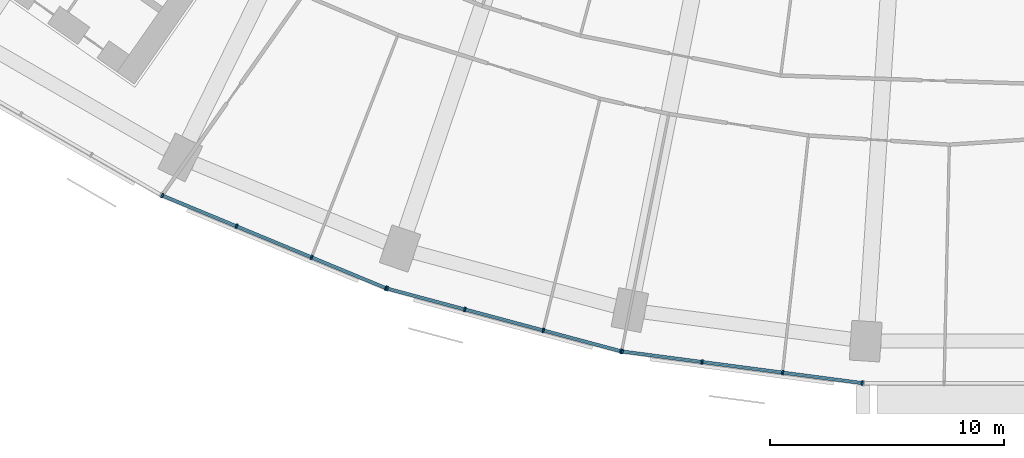
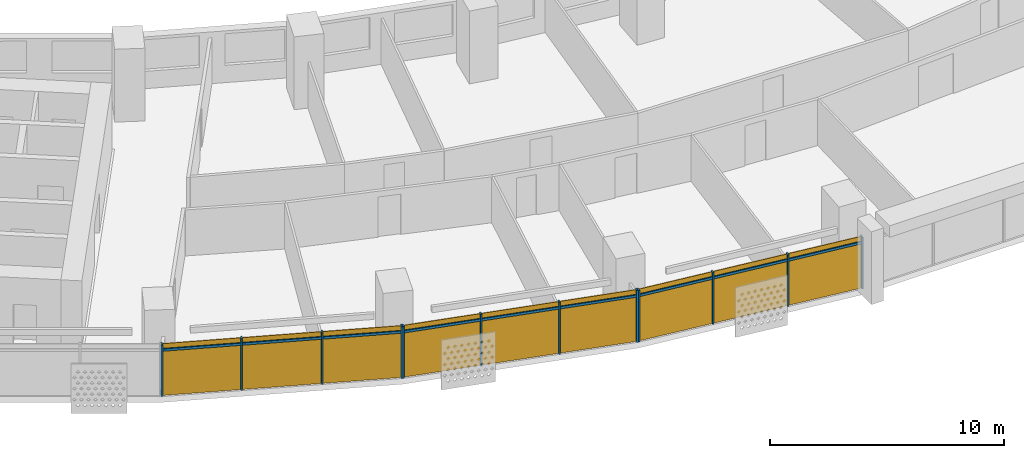
# One storey, part 20 of 31: 21 members, 3 curtain walls.
"""IFC4 building model written with IfcOpenShell, lengths in metres."""

from ifc_helpers import new_model, si_unit, direction, frame, origin, origin_2d, place, context, subcontext, project, spatial, rectangle, extrude, material, material_profile, profile_set, type_object, element, aggregate, save


model = new_model("IFC4")

# Units and contexts
model_context = context("Model", 3, precision=1e-05, world=origin(), true_north=direction((0.0, 1.0)))
body_context = subcontext(model_context, "Body", "Model", "MODEL_VIEW")
ifc_project = project(units=[si_unit("LENGTHUNIT", "METRE"), si_unit("AREAUNIT", "SQUARE_METRE"), si_unit("VOLUMEUNIT", "CUBIC_METRE"), si_unit("PLANEANGLEUNIT", "RADIAN"), si_unit("MASSUNIT", "GRAM", prefix="KILO")], contexts=[model_context])

# Member
ifc_material = material(Name="Aluminium 6063-T6 anodised", Category="aluminium")
ifc_material_profile_1 = material_profile(ifc_material, rectangle(XDim=0.199951171875, YDim=0.070068359375, at=origin_2d()))
ifc_profile_set_1 = profile_set([ifc_material_profile_1], Name="Aluminium 6063-T6 anodised")
member_type_1 = type_object("IfcMemberType", Name="Mullion 70 x 200 aluminium", PredefinedType="MULLION", material=ifc_profile_set_1)
site_placement = place(None, origin())
building_placement = place(site_placement, origin())
storey_placement = place(building_placement, frame((0.0, 0.0, 74.699951171875)))
member_1_placement = place(storey_placement, frame((-35.15771484375, -71.35693359375, 0.0), z_axis=(0.0, 0.0, 1.0), x_axis=(0.382683432365, 0.923879532511, 0.0)))
member_1 = element("IfcMember", 1, at=member_1_placement, type_object=member_type_1, Name="e-cw1-L15-out05/M00", PredefinedType="MULLION", context=body_context, shape_type="SweptSolid", body=[
    extrude(rectangle(XDim=0.199951171875, YDim=0.070068359375, at=origin_2d()), origin(), (0.0, 0.0, 1.0), 2.699951171875),
])

member_2_placement = place(storey_placement, frame((-31.9814453125, -72.672607421875, 0.0), z_axis=(0.0, 0.0, 1.0), x_axis=(0.382683432365, 0.923879532511, 0.0)))
member_2 = element("IfcMember", 2, at=member_2_placement, type_object=member_type_1, Name="e-cw1-L15-out05/M01", PredefinedType="MULLION", context=body_context, shape_type="SweptSolid", body=[
    extrude(rectangle(XDim=0.199951171875, YDim=0.070068359375, at=origin_2d()), origin(), (0.0, 0.0, 1.0), 2.699951171875),
])

member_3_placement = place(storey_placement, frame((-28.77294921875, -74.00146484375, 0.0), z_axis=(0.0, 0.0, 1.0), x_axis=(0.382683432365, 0.923879532511, 0.0)))
member_3 = element("IfcMember", 3, at=member_3_placement, type_object=member_type_1, Name="e-cw1-L15-out05/M02", PredefinedType="MULLION", context=body_context, shape_type="SweptSolid", body=[
    extrude(rectangle(XDim=0.199951171875, YDim=0.070068359375, at=origin_2d()), origin(), (0.0, 0.0, 1.0), 2.699951171875),
])

member_4_placement = place(storey_placement, frame((-25.5966796875, -75.317138671875, 0.0), z_axis=(0.0, 0.0, 1.0), x_axis=(0.382683432365, 0.923879532511, 0.0)))
member_4 = element("IfcMember", 4, at=member_4_placement, type_object=member_type_1, Name="e-cw1-L15-out05/M03", PredefinedType="MULLION", context=body_context, shape_type="SweptSolid", body=[
    extrude(rectangle(XDim=0.199951171875, YDim=0.070068359375, at=origin_2d()), origin(), (0.0, 0.0, 1.0), 2.699951171875),
])

member_5_placement = place(storey_placement, frame((-25.54296875, -75.33544921875, 0.0), z_axis=(0.0, 0.0, 1.0), x_axis=(0.258819045103, 0.965925826289, 0.0)))
member_5 = element("IfcMember", 5, at=member_5_placement, type_object=member_type_1, Name="e-cw1-L15-out06/M00", PredefinedType="MULLION", context=body_context, shape_type="SweptSolid", body=[
    extrude(rectangle(XDim=0.199951171875, YDim=0.070068359375, at=origin_2d()), origin(), (0.0, 0.0, 1.0), 2.699951171875),
])

member_6_placement = place(storey_placement, frame((-22.22216796875, -76.225341796875, 0.0), z_axis=(0.0, 0.0, 1.0), x_axis=(0.258819045103, 0.965925826289, 0.0)))
member_6 = element("IfcMember", 6, at=member_6_placement, type_object=member_type_1, Name="e-cw1-L15-out06/M01", PredefinedType="MULLION", context=body_context, shape_type="SweptSolid", body=[
    extrude(rectangle(XDim=0.199951171875, YDim=0.070068359375, at=origin_2d()), origin(), (0.0, 0.0, 1.0), 2.699951171875),
])

member_7_placement = place(storey_placement, frame((-18.86767578125, -77.1240234375, 0.0), z_axis=(0.0, 0.0, 1.0), x_axis=(0.258819045103, 0.965925826289, 0.0)))
member_7 = element("IfcMember", 7, at=member_7_placement, type_object=member_type_1, Name="e-cw1-L15-out06/M02", PredefinedType="MULLION", context=body_context, shape_type="SweptSolid", body=[
    extrude(rectangle(XDim=0.199951171875, YDim=0.070068359375, at=origin_2d()), origin(), (0.0, 0.0, 1.0), 2.699951171875),
])

member_8_placement = place(storey_placement, frame((-15.546875, -78.013916015625, 0.0), z_axis=(0.0, 0.0, 1.0), x_axis=(0.258819045103, 0.965925826289, 0.0)))
member_8 = element("IfcMember", 8, at=member_8_placement, type_object=member_type_1, Name="e-cw1-L15-out06/M03", PredefinedType="MULLION", context=body_context, shape_type="SweptSolid", body=[
    extrude(rectangle(XDim=0.199951171875, YDim=0.070068359375, at=origin_2d()), origin(), (0.0, 0.0, 1.0), 2.699951171875),
])

member_9_placement = place(storey_placement, frame((-15.4912109375, -78.02490234375, 0.0), z_axis=(0.0, 0.0, 1.0), x_axis=(0.13052619222, 0.991444861374, 0.0)))
member_9 = element("IfcMember", 9, at=member_9_placement, type_object=member_type_1, Name="e-cw1-L15-out07/M00", PredefinedType="MULLION", context=body_context, shape_type="SweptSolid", body=[
    extrude(rectangle(XDim=0.199951171875, YDim=0.070068359375, at=origin_2d()), origin(), (0.0, 0.0, 1.0), 2.699951171875),
])

member_10_placement = place(storey_placement, frame((-12.082763671875, -78.4736328125, 0.0), z_axis=(0.0, 0.0, 1.0), x_axis=(0.13052619222, 0.991444861374, 0.0)))
member_10 = element("IfcMember", 10, at=member_10_placement, type_object=member_type_1, Name="e-cw1-L15-out07/M01", PredefinedType="MULLION", context=body_context, shape_type="SweptSolid", body=[
    extrude(rectangle(XDim=0.199951171875, YDim=0.070068359375, at=origin_2d()), origin(), (0.0, 0.0, 1.0), 2.699951171875),
])

member_11_placement = place(storey_placement, frame((-8.639404296875, -78.927001953125, 0.0), z_axis=(0.0, 0.0, 1.0), x_axis=(0.13052619222, 0.991444861374, 0.0)))
member_11 = element("IfcMember", 11, at=member_11_placement, type_object=member_type_1, Name="e-cw1-L15-out07/M02", PredefinedType="MULLION", context=body_context, shape_type="SweptSolid", body=[
    extrude(rectangle(XDim=0.199951171875, YDim=0.070068359375, at=origin_2d()), origin(), (0.0, 0.0, 1.0), 2.699951171875),
])

member_12_placement = place(storey_placement, frame((-5.23095703125, -79.375732421875, 0.0), z_axis=(0.0, 0.0, 1.0), x_axis=(0.13052619222, 0.991444861374, 0.0)))
member_12 = element("IfcMember", 12, at=member_12_placement, type_object=member_type_1, Name="e-cw1-L15-out07/M03", PredefinedType="MULLION", context=body_context, shape_type="SweptSolid", body=[
    extrude(rectangle(XDim=0.199951171875, YDim=0.070068359375, at=origin_2d()), origin(), (0.0, 0.0, 1.0), 2.699951171875),
])

ifc_material_profile_2 = material_profile(ifc_material, rectangle(XDim=0.139892578125, YDim=0.1201171875, at=origin_2d()))
ifc_profile_set_2 = profile_set([ifc_material_profile_2], Name="Aluminium 6063-T6 anodised")
member_type_2 = type_object("IfcMemberType", Name="Transom 120 x 140 aluminium", PredefinedType="USERDEFINED", material=ifc_profile_set_2)
member_13_placement = place(storey_placement, frame((-35.125244140625, -71.370361328125, 2.400146484375), z_axis=(0.923872807855, -0.382699666719, 0.0), x_axis=(0.382699666719, 0.923872807855, 0.0)))
member_13 = element("IfcMember", 13, at=member_13_placement, type_object=member_type_2, Name="e-cw1-L15-out05/T00", ObjectType="TRANSOM", PredefinedType="USERDEFINED", context=body_context, shape_type="SweptSolid", body=[
    extrude(rectangle(XDim=0.139892578125, YDim=0.1201171875, at=origin_2d()), origin(), (0.0, 0.0, 1.0), 3.36767578125),
])

member_14_placement = place(storey_placement, frame((-31.94921875, -72.68603515625, 2.400146484375), z_axis=(0.92388567708, -0.382668597728, 0.0), x_axis=(0.382668597728, 0.92388567708, 0.0)))
member_14 = element("IfcMember", 14, at=member_14_placement, type_object=member_type_2, Name="e-cw1-L15-out05/T01", ObjectType="TRANSOM", PredefinedType="USERDEFINED", context=body_context, shape_type="SweptSolid", body=[
    extrude(rectangle(XDim=0.139892578125, YDim=0.1201171875, at=origin_2d()), origin(), (0.0, 0.0, 1.0), 3.403076171875),
])

member_15_placement = place(storey_placement, frame((-28.740478515625, -74.014892578125, 2.400146484375), z_axis=(0.923872807855, -0.382699666719, 0.0), x_axis=(0.382699666719, 0.923872807855, 0.0)))
member_15 = element("IfcMember", 15, at=member_15_placement, type_object=member_type_2, Name="e-cw1-L15-out05/T02", ObjectType="TRANSOM", PredefinedType="USERDEFINED", context=body_context, shape_type="SweptSolid", body=[
    extrude(rectangle(XDim=0.139892578125, YDim=0.1201171875, at=origin_2d()), origin(), (0.0, 0.0, 1.0), 3.36767578125),
])

member_16_placement = place(storey_placement, frame((-25.50927734375, -75.344482421875, 2.400146484375), z_axis=(0.965915368772, -0.258858069935, 0.0), x_axis=(0.258858069935, 0.965915368772, 0.0)))
member_16 = element("IfcMember", 16, at=member_16_placement, type_object=member_type_2, Name="e-cw1-L15-out06/T00", ObjectType="TRANSOM", PredefinedType="USERDEFINED", context=body_context, shape_type="SweptSolid", body=[
    extrude(rectangle(XDim=0.139892578125, YDim=0.1201171875, at=origin_2d()), origin(), (0.0, 0.0, 1.0), 3.367919921875),
])

member_17_placement = place(storey_placement, frame((-22.1884765625, -76.234375, 2.400146484375), z_axis=(0.965937804901, -0.258774336176, 0.0), x_axis=(0.258774336176, 0.965937804901, 0.0)))
member_17 = element("IfcMember", 17, at=member_17_placement, type_object=member_type_2, Name="e-cw1-L15-out06/T01", ObjectType="TRANSOM", PredefinedType="USERDEFINED", context=body_context, shape_type="SweptSolid", body=[
    extrude(rectangle(XDim=0.139892578125, YDim=0.1201171875, at=origin_2d()), origin(), (0.0, 0.0, 1.0), 3.403076171875),
])

member_18_placement = place(storey_placement, frame((-18.833740234375, -77.133056640625, 2.400146484375), z_axis=(0.965915368772, -0.258858069935, 0.0), x_axis=(0.258858069935, 0.965915368772, 0.0)))
member_18 = element("IfcMember", 18, at=member_18_placement, type_object=member_type_2, Name="e-cw1-L15-out06/T02", ObjectType="TRANSOM", PredefinedType="USERDEFINED", context=body_context, shape_type="SweptSolid", body=[
    extrude(rectangle(XDim=0.139892578125, YDim=0.1201171875, at=origin_2d()), origin(), (0.0, 0.0, 1.0), 3.367919921875),
])

member_19_placement = place(storey_placement, frame((-15.45654296875, -78.029541015625, 2.400146484375), z_axis=(0.9914412138, -0.130553895303, 0.0), x_axis=(0.130553895303, 0.9914412138, 0.0)))
member_19 = element("IfcMember", 19, at=member_19_placement, type_object=member_type_2, Name="e-cw1-L15-out07/T00", ObjectType="TRANSOM", PredefinedType="USERDEFINED", context=body_context, shape_type="SweptSolid", body=[
    extrude(rectangle(XDim=0.139892578125, YDim=0.1201171875, at=origin_2d()), origin(), (0.0, 0.0, 1.0), 3.367919921875),
])

member_20_placement = place(storey_placement, frame((-12.048095703125, -78.478271484375, 2.400146484375), z_axis=(0.991447700941, -0.130504621753, 0.0), x_axis=(0.130504621753, 0.991447700941, 0.0)))
member_20 = element("IfcMember", 20, at=member_20_placement, type_object=member_type_2, Name="e-cw1-L15-out07/T01", ObjectType="TRANSOM", PredefinedType="USERDEFINED", context=body_context, shape_type="SweptSolid", body=[
    extrude(rectangle(XDim=0.139892578125, YDim=0.1201171875, at=origin_2d()), origin(), (0.0, 0.0, 1.0), 3.40283203125),
])

member_21_placement = place(storey_placement, frame((-8.604736328125, -78.931640625, 2.400146484375), z_axis=(0.991450594138, -0.130482640159, 0.0), x_axis=(0.130482640159, 0.991450594138, 0.0)))
member_21 = element("IfcMember", 21, at=member_21_placement, type_object=member_type_2, Name="e-cw1-L15-out07/T02", ObjectType="TRANSOM", PredefinedType="USERDEFINED", context=body_context, shape_type="SweptSolid", body=[
    extrude(rectangle(XDim=0.139892578125, YDim=0.1201171875, at=origin_2d()), origin(), (0.0, 0.0, 1.0), 3.367919921875),
])

# Site, building, storey
site = spatial("IfcSite", under=ifc_project, at=site_placement, CompositionType="ELEMENT")
building = spatial("IfcBuilding", under=site, at=building_placement, Name="Qamariyya Broadcast Tower", CompositionType="ELEMENT")
storey = spatial("IfcBuildingStorey", under=building, at=storey_placement, Name="L15", CompositionType="ELEMENT", Elevation=74.699951171875)

# Curtain wall
curtain_wall_type = type_object("IfcCurtainWallType", Name="Unitised curtain wall, anodised aluminium", PredefinedType="NOTDEFINED", material=ifc_material)
curtain_wall_1_placement = place(storey_placement, origin())
curtain_wall_1 = element("IfcCurtainWall", 22, at=curtain_wall_1_placement, inside=storey, type_object=curtain_wall_type, Name="e-cw1-L15-out05", PredefinedType="NOTDEFINED", context=body_context, shape_type="SweptSolid", body=[
    extrude(rectangle(XDim=3.367919921875, YDim=0.031982421875, at=origin_2d()), frame((-33.569580078125, -72.0146484375, 0.0), x_axis=(0.92387774222, -0.382687754482, 0.0)), (0.0, 0.0, 1.0), 2.340087890625),
    extrude(rectangle(XDim=3.367919921875, YDim=0.031982421875, at=origin_2d()), frame((-33.569580078125, -72.0146484375, 2.4599609375), x_axis=(0.92387774222, -0.382687754482, 0.0)), (0.0, 0.0, 1.0), 0.239990234375),
    extrude(rectangle(XDim=3.40283203125, YDim=0.031982421875, at=origin_2d()), frame((-30.377197265625, -73.3369140625, 0.0), x_axis=(0.92387774222, -0.382687754482, 0.0)), (0.0, 0.0, 1.0), 2.340087890625),
    extrude(rectangle(XDim=3.40283203125, YDim=0.031982421875, at=origin_2d()), frame((-30.377197265625, -73.3369140625, 2.4599609375), x_axis=(0.92387774222, -0.382687754482, 0.0)), (0.0, 0.0, 1.0), 0.239990234375),
    extrude(rectangle(XDim=3.367919921875, YDim=0.031982421875, at=origin_2d()), frame((-27.184814453125, -74.659423828125, 0.0), x_axis=(0.92387774222, -0.382687754482, 0.0)), (0.0, 0.0, 1.0), 2.340087890625),
    extrude(rectangle(XDim=3.367919921875, YDim=0.031982421875, at=origin_2d()), frame((-27.184814453125, -74.659423828125, 2.4599609375), x_axis=(0.92387774222, -0.382687754482, 0.0)), (0.0, 0.0, 1.0), 0.239990234375),
])

aggregate(curtain_wall_1, [member_1, member_2, member_3, member_4, member_13, member_14, member_15])

curtain_wall_2_placement = place(storey_placement, origin())
curtain_wall_2 = element("IfcCurtainWall", 23, at=curtain_wall_2_placement, inside=storey, type_object=curtain_wall_type, Name="e-cw1-L15-out06", PredefinedType="NOTDEFINED", context=body_context, shape_type="SweptSolid", body=[
    extrude(rectangle(XDim=3.367919921875, YDim=0.031982421875, at=origin_2d()), frame((-23.882568359375, -75.7802734375, 0.0), x_axis=(0.965925039578, -0.258821981129, 0.0)), (0.0, 0.0, 1.0), 2.340087890625),
    extrude(rectangle(XDim=3.367919921875, YDim=0.031982421875, at=origin_2d()), frame((-23.882568359375, -75.7802734375, 2.4599609375), x_axis=(0.965925039578, -0.258821981129, 0.0)), (0.0, 0.0, 1.0), 0.239990234375),
    extrude(rectangle(XDim=3.40283203125, YDim=0.031982421875, at=origin_2d()), frame((-20.544921875, -76.6748046875, 0.0), x_axis=(0.965925039578, -0.258821981129, 0.0)), (0.0, 0.0, 1.0), 2.340087890625),
    extrude(rectangle(XDim=3.40283203125, YDim=0.031982421875, at=origin_2d()), frame((-20.544921875, -76.6748046875, 2.4599609375), x_axis=(0.965925039578, -0.258821981129, 0.0)), (0.0, 0.0, 1.0), 0.239990234375),
    extrude(rectangle(XDim=3.367919921875, YDim=0.031982421875, at=origin_2d()), frame((-17.207275390625, -77.569091796875, 0.0), x_axis=(0.965925039578, -0.258821981129, 0.0)), (0.0, 0.0, 1.0), 2.340087890625),
    extrude(rectangle(XDim=3.367919921875, YDim=0.031982421875, at=origin_2d()), frame((-17.207275390625, -77.569091796875, 2.4599609375), x_axis=(0.965925039578, -0.258821981129, 0.0)), (0.0, 0.0, 1.0), 0.239990234375),
])

aggregate(curtain_wall_2, [member_5, member_6, member_7, member_8, member_16, member_17, member_18])

curtain_wall_3_placement = place(storey_placement, origin())
curtain_wall_3 = element("IfcCurtainWall", 24, at=curtain_wall_3_placement, inside=storey, type_object=curtain_wall_type, Name="e-cw1-L15-out07", PredefinedType="NOTDEFINED", context=body_context, shape_type="SweptSolid", body=[
    extrude(rectangle(XDim=3.367919921875, YDim=0.031982421875, at=origin_2d()), frame((-13.786865234375, -78.24951171875, 0.0), x_axis=(0.991445519925, -0.130521189931, 0.0)), (0.0, 0.0, 1.0), 2.340087890625),
    extrude(rectangle(XDim=3.367919921875, YDim=0.031982421875, at=origin_2d()), frame((-13.786865234375, -78.24951171875, 2.4599609375), x_axis=(0.991445519925, -0.130521189931, 0.0)), (0.0, 0.0, 1.0), 0.239990234375),
    extrude(rectangle(XDim=3.40283203125, YDim=0.031982421875, at=origin_2d()), frame((-10.361083984375, -78.700439453125, 0.0), x_axis=(0.991445519925, -0.130521189931, 0.0)), (0.0, 0.0, 1.0), 2.340087890625),
    extrude(rectangle(XDim=3.40283203125, YDim=0.031982421875, at=origin_2d()), frame((-10.361083984375, -78.700439453125, 2.4599609375), x_axis=(0.991445519925, -0.130521189931, 0.0)), (0.0, 0.0, 1.0), 0.239990234375),
    extrude(rectangle(XDim=3.367919921875, YDim=0.031982421875, at=origin_2d()), frame((-6.935302734375, -79.1513671875, 0.0), x_axis=(0.991445519925, -0.130521189931, 0.0)), (0.0, 0.0, 1.0), 2.340087890625),
    extrude(rectangle(XDim=3.367919921875, YDim=0.031982421875, at=origin_2d()), frame((-6.935302734375, -79.1513671875, 2.4599609375), x_axis=(0.991445519925, -0.130521189931, 0.0)), (0.0, 0.0, 1.0), 0.239990234375),
])

aggregate(curtain_wall_3, [member_9, member_10, member_11, member_12, member_19, member_20, member_21])

save(model, "model.ifc")
